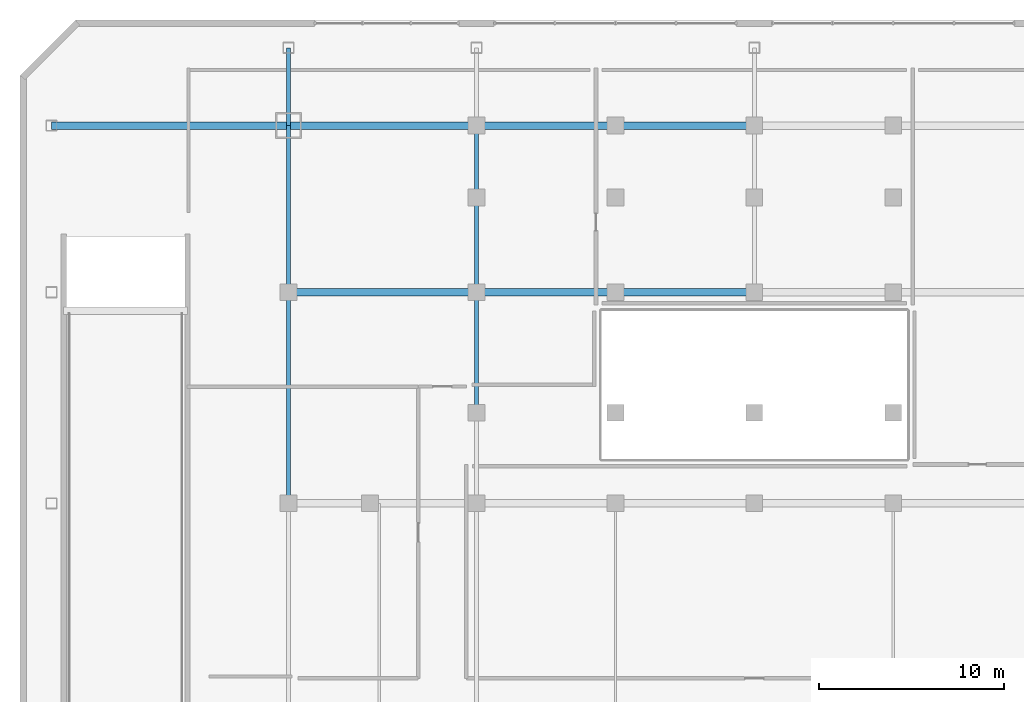
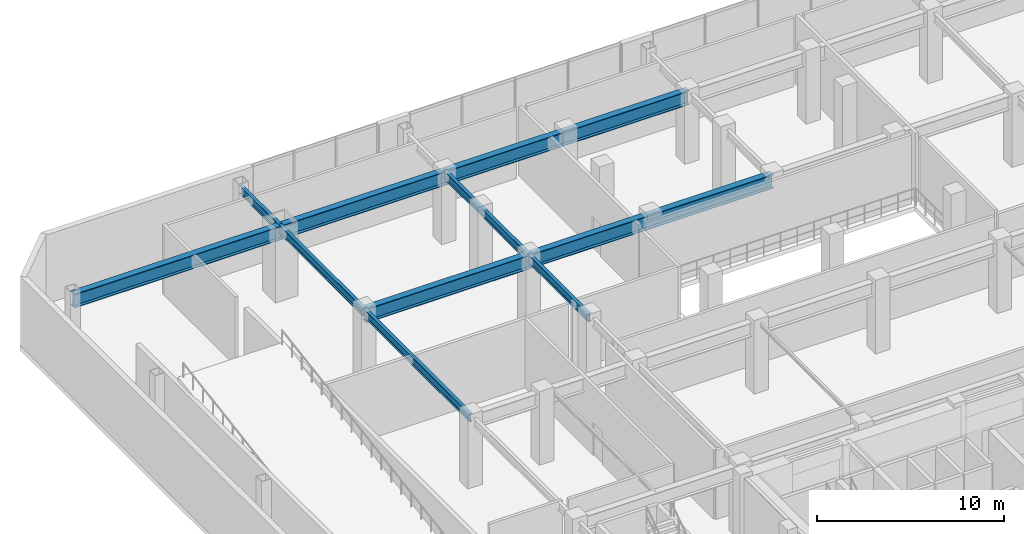
# One storey, part 2 of 15: 10 beams.
"""IFC4 building model written with IfcOpenShell, lengths in metres."""

from ifc_helpers import new_model, si_unit, direction, frame, origin, origin_2d, place, context, subcontext, project, spatial, i_section, extrude, material, material_profile, profile_set, type_object, element, save


model = new_model("IFC4")

# Units and contexts
model_context = context("Model", 3, precision=1e-05, world=origin(), true_north=direction((0.0, 1.0)))
body_context = subcontext(model_context, "Body", "Model", "MODEL_VIEW")
ifc_project = project(units=[si_unit("LENGTHUNIT", "METRE"), si_unit("AREAUNIT", "SQUARE_METRE"), si_unit("VOLUMEUNIT", "CUBIC_METRE"), si_unit("PLANEANGLEUNIT", "RADIAN"), si_unit("MASSUNIT", "GRAM", prefix="KILO")], contexts=[model_context])

# Site, building, storey
site_placement = place(None, origin())
site = spatial("IfcSite", under=ifc_project, at=site_placement, CompositionType="ELEMENT")
building_placement = place(site_placement, origin())
building = spatial("IfcBuilding", under=site, at=building_placement, Name="Ventersveld Concourse Tower", CompositionType="ELEMENT")
storey_placement = place(building_placement, frame((0.0, 0.0, 5.39990234375)))
storey = spatial("IfcBuildingStorey", under=building, at=storey_placement, Name="L01", CompositionType="ELEMENT", Elevation=5.39990234375)

# Beams
ifc_material = material(Name="Structural steel S355J2", Category="steel")
ifc_material_profile_1 = material_profile(ifc_material, i_section(OverallWidth=0.39990234375, OverallDepth=0.89990234375, WebThickness=0.02197265625, FlangeThickness=0.035888671875, at=origin_2d()), Name="PG 900x400x36")
ifc_profile_set_1 = profile_set([ifc_material_profile_1], Name="Structural steel S355J2")
beam_type_1 = type_object("IfcBeamType", Name="GRD-PG900", PredefinedType="USERDEFINED", material=ifc_profile_set_1)
beam_1_placement = place(storey_placement, frame((3.60009765625, 35.0, 4.050048828125), z_axis=(1.0, 0.0, 0.0), x_axis=(0.0, 1.0, 0.0)))
element("IfcBeam", 1, at=beam_1_placement, inside=storey, type_object=beam_type_1, Name="L01 Podium Primary Girder Y=35.0m", ObjectType="GIRDER", PredefinedType="USERDEFINED", context=body_context, shape_type="SweptSolid", body=[
    extrude(i_section(OverallWidth=0.39990234375, OverallDepth=0.89990234375, WebThickness=0.02197265625, FlangeThickness=0.035888671875, at=origin_2d()), origin(), (0.0, 0.0, 1.0), 10.14990234375),
])
beam_2_placement = place(storey_placement, frame((13.75, 35.0, 4.050048828125), z_axis=(1.0, 0.0, 0.0), x_axis=(0.0, 1.0, 0.0)))
element("IfcBeam", 2, at=beam_2_placement, inside=storey, type_object=beam_type_1, Name="L01 Podium Primary Girder Y=35.0m", ObjectType="GIRDER", PredefinedType="USERDEFINED", context=body_context, shape_type="SweptSolid", body=[
    extrude(i_section(OverallWidth=0.39990234375, OverallDepth=0.89990234375, WebThickness=0.02197265625, FlangeThickness=0.035888671875, at=origin_2d()), origin(), (0.0, 0.0, 1.0), 15.0),
])
beam_3_placement = place(storey_placement, frame((-9.199951171875, 44.0, 4.050048828125), z_axis=(1.0, 0.0, 0.0), x_axis=(0.0, 1.0, 0.0)))
element("IfcBeam", 3, at=beam_3_placement, inside=storey, type_object=beam_type_1, Name="L01 Podium Primary Girder Y=44.0m", ObjectType="GIRDER", PredefinedType="USERDEFINED", context=body_context, shape_type="SweptSolid", body=[
    extrude(i_section(OverallWidth=0.39990234375, OverallDepth=0.89990234375, WebThickness=0.02197265625, FlangeThickness=0.035888671875, at=origin_2d()), origin(), (0.0, 0.0, 1.0), 12.800048828125),
])
beam_4_placement = place(storey_placement, frame((3.60009765625, 44.0, 4.050048828125), z_axis=(1.0, 0.0, 0.0), x_axis=(0.0, 1.0, 0.0)))
element("IfcBeam", 4, at=beam_4_placement, inside=storey, type_object=beam_type_1, Name="L01 Podium Primary Girder Y=44.0m", ObjectType="GIRDER", PredefinedType="USERDEFINED", context=body_context, shape_type="SweptSolid", body=[
    extrude(i_section(OverallWidth=0.39990234375, OverallDepth=0.89990234375, WebThickness=0.02197265625, FlangeThickness=0.035888671875, at=origin_2d()), origin(), (0.0, 0.0, 1.0), 10.14990234375),
])
beam_5_placement = place(storey_placement, frame((13.75, 44.0, 4.050048828125), z_axis=(1.0, 0.0, 0.0), x_axis=(0.0, 1.0, 0.0)))
element("IfcBeam", 5, at=beam_5_placement, inside=storey, type_object=beam_type_1, Name="L01 Podium Primary Girder Y=44.0m", ObjectType="GIRDER", PredefinedType="USERDEFINED", context=body_context, shape_type="SweptSolid", body=[
    extrude(i_section(OverallWidth=0.39990234375, OverallDepth=0.89990234375, WebThickness=0.02197265625, FlangeThickness=0.035888671875, at=origin_2d()), origin(), (0.0, 0.0, 1.0), 15.0),
])
ifc_material_profile_2 = material_profile(ifc_material, i_section(OverallWidth=0.209228515625, OverallDepth=0.533203125, WebThickness=0.010009765625, FlangeThickness=0.015625, FilletRadius=0.0126953125, at=origin_2d()), Name="UB 533x210x92")
ifc_profile_set_2 = profile_set([ifc_material_profile_2], Name="Structural steel S355J2")
beam_type_2 = type_object("IfcBeamType", Name="GRD-UB533", PredefinedType="T_BEAM", material=ifc_profile_set_2)
beam_6_placement = place(storey_placement, frame((3.60009765625, 23.60009765625, 4.2333984375), z_axis=(0.0, 1.0, 0.0), x_axis=(-1.0, 0.0, 0.0)))
element("IfcBeam", 6, at=beam_6_placement, inside=storey, type_object=beam_type_2, Name="L01 Podium N-S Girder X=3.60m", PredefinedType="T_BEAM", context=body_context, shape_type="SweptSolid", body=[
    extrude(i_section(OverallWidth=0.209228515625, OverallDepth=0.533203125, WebThickness=0.010009765625, FlangeThickness=0.015625, FilletRadius=0.0126953125, at=origin_2d()), origin(), (0.0, 0.0, 1.0), 11.39990234375),
])
beam_7_placement = place(storey_placement, frame((3.60009765625, 35.0, 4.2333984375), z_axis=(0.0, 1.0, 0.0), x_axis=(-1.0, 0.0, 0.0)))
element("IfcBeam", 7, at=beam_7_placement, inside=storey, type_object=beam_type_2, Name="L01 Podium N-S Girder X=3.60m", PredefinedType="T_BEAM", context=body_context, shape_type="SweptSolid", body=[
    extrude(i_section(OverallWidth=0.209228515625, OverallDepth=0.533203125, WebThickness=0.010009765625, FlangeThickness=0.015625, FilletRadius=0.0126953125, at=origin_2d()), origin(), (0.0, 0.0, 1.0), 9.0),
])
beam_8_placement = place(storey_placement, frame((3.60009765625, 44.0, 4.2333984375), z_axis=(0.0, 1.0, 0.0), x_axis=(-1.0, 0.0, 0.0)))
element("IfcBeam", 8, at=beam_8_placement, inside=storey, type_object=beam_type_2, Name="L01 Podium N-S Girder X=3.60m", PredefinedType="T_BEAM", context=body_context, shape_type="SweptSolid", body=[
    extrude(i_section(OverallWidth=0.209228515625, OverallDepth=0.533203125, WebThickness=0.010009765625, FlangeThickness=0.015625, FilletRadius=0.0126953125, at=origin_2d()), origin(), (0.0, 0.0, 1.0), 4.199951171875),
])
beam_9_placement = place(storey_placement, frame((13.75, 28.5, 4.2333984375), z_axis=(0.0, 1.0, 0.0), x_axis=(-1.0, 0.0, 0.0)))
element("IfcBeam", 9, at=beam_9_placement, inside=storey, type_object=beam_type_2, Name="L01 Podium N-S Girder X=13.75m", PredefinedType="T_BEAM", context=body_context, shape_type="SweptSolid", body=[
    extrude(i_section(OverallWidth=0.209228515625, OverallDepth=0.533203125, WebThickness=0.010009765625, FlangeThickness=0.015625, FilletRadius=0.0126953125, at=origin_2d()), origin(), (0.0, 0.0, 1.0), 6.5),
])
beam_10_placement = place(storey_placement, frame((13.75, 35.0, 4.2333984375), z_axis=(0.0, 1.0, 0.0), x_axis=(-1.0, 0.0, 0.0)))
element("IfcBeam", 10, at=beam_10_placement, inside=storey, type_object=beam_type_2, Name="L01 Podium N-S Girder X=13.75m", PredefinedType="T_BEAM", context=body_context, shape_type="SweptSolid", body=[
    extrude(i_section(OverallWidth=0.209228515625, OverallDepth=0.533203125, WebThickness=0.010009765625, FlangeThickness=0.015625, FilletRadius=0.0126953125, at=origin_2d()), origin(), (0.0, 0.0, 1.0), 9.0),
])

save(model, "model.ifc")
